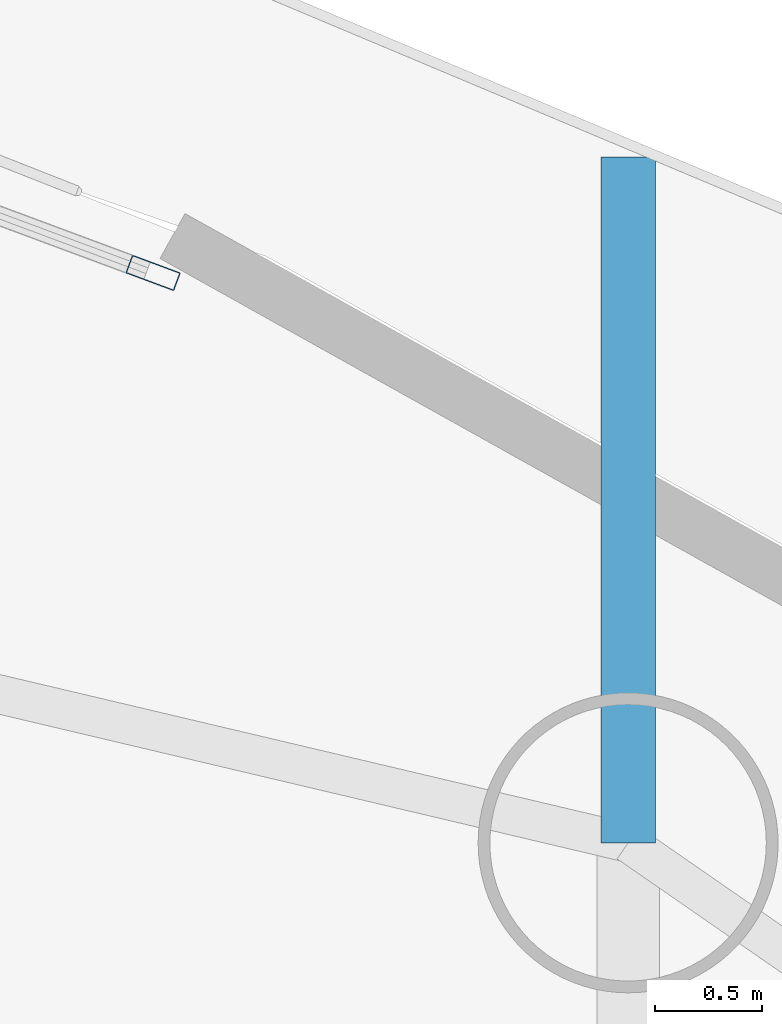
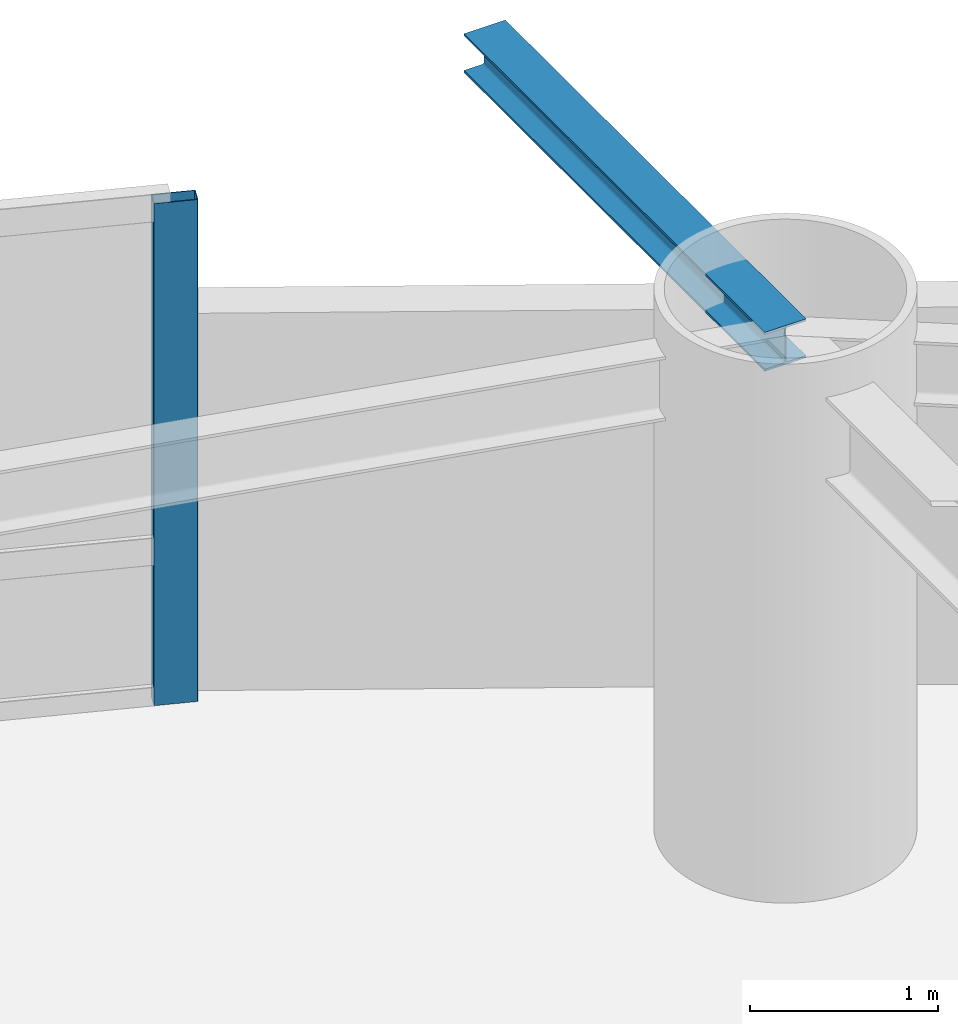
# One storey, part 12 of 19: 1 beam, 1 member, 1 element without a shape of its own.
"""IFC4 building model written with IfcOpenShell, lengths in metres."""

from ifc_helpers import new_model, si_unit, direction, frame, origin, origin_2d, place, context, subcontext, project, spatial, hollow_rectangle, i_section, extrude, material, layer, layer_set, material_profile, profile_set, type_object, element, aggregate, save


model = new_model("IFC4")

# Units and contexts
model_context = context("Model", 3, precision=1e-05, world=origin(), true_north=direction((0.0, 1.0)))
body_context = subcontext(model_context, "Body", "Model", "MODEL_VIEW")
ifc_project = project(units=[si_unit("LENGTHUNIT", "METRE"), si_unit("AREAUNIT", "SQUARE_METRE"), si_unit("VOLUMEUNIT", "CUBIC_METRE"), si_unit("PLANEANGLEUNIT", "RADIAN"), si_unit("MASSUNIT", "GRAM", prefix="KILO")], contexts=[model_context])

# Site, building, storey
site_placement = place(None, origin())
site = spatial("IfcSite", under=ifc_project, at=site_placement, CompositionType="ELEMENT")
building_placement = place(site_placement, origin())
building = spatial("IfcBuilding", under=site, at=building_placement, Name="Bramvorn Convention Spire", CompositionType="ELEMENT")
storey_placement = place(building_placement, frame((0.0, 0.0, 109.800048828125)))
storey = spatial("IfcBuildingStorey", under=building, at=storey_placement, Name="L26", CompositionType="ELEMENT", Elevation=109.800048828125)

# Beam
ifc_material_1 = material(Name="Steel CSA G40.21 Grade 350 (350W)", Category="steel")
ifc_material_profile_1 = material_profile(ifc_material_1, i_section(OverallWidth=0.25390625, OverallDepth=0.2529296875, WebThickness=0.008544921875, FlangeThickness=0.01416015625, FilletRadius=0.011962890625, at=origin_2d()))
ifc_profile_set_1 = profile_set([ifc_material_profile_1], Name="Steel CSA G40.21 Grade 350 (350W) - W250X73")
beam_type = type_object("IfcBeamType", Name="BM-W250X73", PredefinedType="BEAM", material=ifc_profile_set_1)
beam_placement = place(storey_placement, frame((46.082763671875, 44.154052734375, 3.133544921875), z_axis=(0.0, 1.0, 0.0), x_axis=(-1.0, 0.0, 0.0)))
element("IfcBeam", 1, at=beam_placement, inside=storey, type_object=beam_type, Name="L26 slab-edge cantilever tip beam MC05", PredefinedType="BEAM", context=body_context, shape_type="SweptSolid", body=[
    extrude(i_section(OverallWidth=0.25390625, OverallDepth=0.2529296875, WebThickness=0.008544921875, FlangeThickness=0.01416015625, FilletRadius=0.011962890625, at=origin_2d()), origin(), (0.0, 0.0, 1.0), 3.199951171875),
])

# Curtain wall, member
ifc_material_2 = material(Name="Anodised Bronze Unitised Curtain Wall", Category="aluminium")
ifc_layer = layer(ifc_material_2, 0.219970703125)
ifc_layer_set = layer_set([ifc_layer], Name="Anodised Bronze Unitised Curtain Wall - CW-SKYGARDEN")
curtain_wall_type = type_object("IfcCurtainWallType", Name="CW-SKYGARDEN", PredefinedType="USERDEFINED", material=ifc_layer_set)
curtain_wall_placement = place(storey_placement, origin())
curtain_wall = element("IfcCurtainWall", 2, at=curtain_wall_placement, inside=storey, type_object=curtain_wall_type, Name="L26 Sky Garden glazed facade 07", ObjectType="WINTER GARDEN GLAZING", PredefinedType="USERDEFINED")
ifc_material_3 = material(Name="Anodised Bronze Aluminium 6063-T6", Category="aluminium")
ifc_material_profile_2 = material_profile(ifc_material_3, hollow_rectangle(XDim=0.090087890625, YDim=0.239990234375, WallThickness=0.00439453125, InnerFilletRadius=0.0009765625, OuterFilletRadius=0.00439453125, at=origin_2d()))
ifc_profile_set_2 = profile_set([ifc_material_profile_2], Name="Anodised Bronze Aluminium 6063-T6 - CWM90X240")
member_type = type_object("IfcMemberType", Name="CW-MUL-220", PredefinedType="MULLION", material=ifc_profile_set_2)
member_placement = place(storey_placement, frame((43.865966796875, 46.813720703125, 0.0), z_axis=(0.0, 0.0, 1.0), x_axis=(0.348463028324, 0.937322526077, 0.0)))
member = element("IfcMember", 3, at=member_placement, type_object=member_type, Name="CW4 mullion 2", PredefinedType="MULLION", context=body_context, shape_type="SweptSolid", body=[
    extrude(hollow_rectangle(XDim=0.090087890625, YDim=0.239990234375, WallThickness=0.00439453125, InnerFilletRadius=0.0009765625, OuterFilletRadius=0.00439453125, at=origin_2d()), origin(), (0.0, 0.0, 1.0), 3.260009765625),
])
aggregate(curtain_wall, [member])

save(model, "model.ifc")
